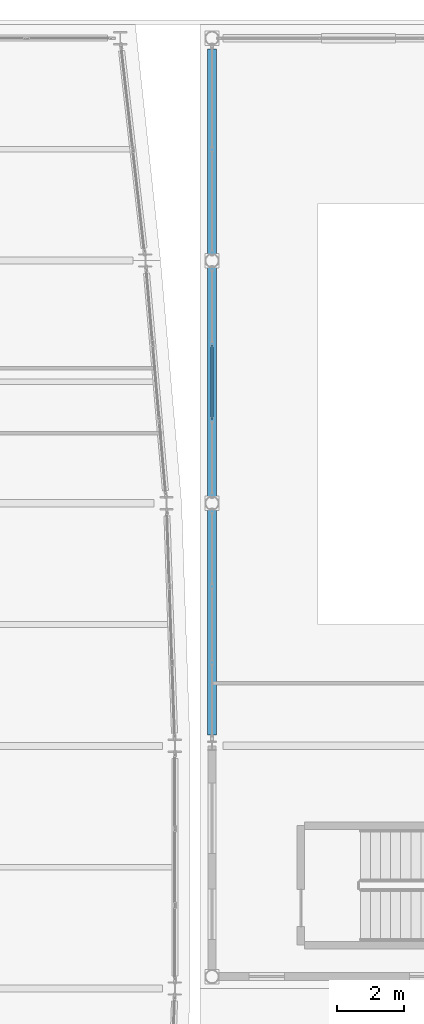
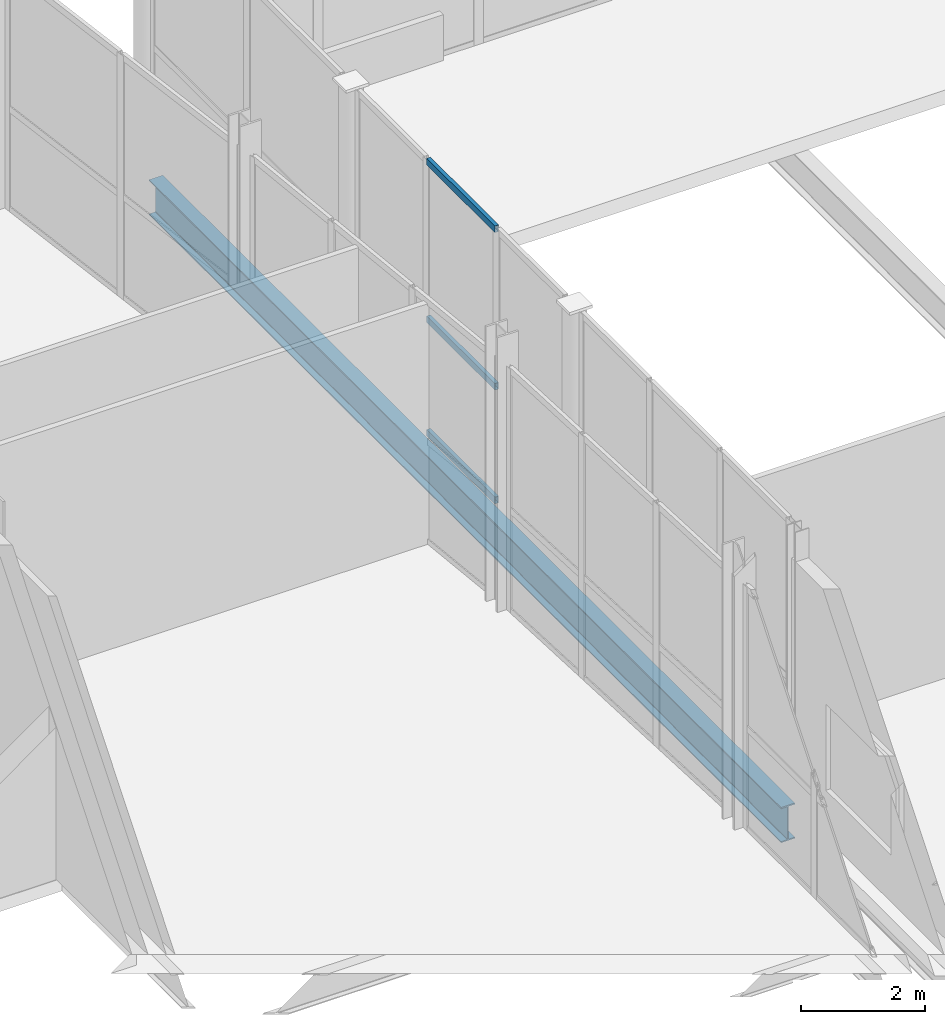
# One storey, part 33 of 83: 3 members, 1 beam, 1 element without a shape of its own.
"""IFC4 building model written with IfcOpenShell, lengths in metres."""

from ifc_helpers import new_model, si_unit, direction, frame, origin, origin_2d, place, context, subcontext, project, spatial, hollow_rectangle, i_section, extrude, material, layer, layer_set, material_profile, profile_set, type_object, element, aggregate, save


model = new_model("IFC4")

# Units and contexts
model_context = context("Model", 3, precision=1e-05, world=origin(), true_north=direction((0.0, 1.0)))
body_context = subcontext(model_context, "Body", "Model", "MODEL_VIEW")
ifc_project = project(units=[si_unit("LENGTHUNIT", "METRE"), si_unit("AREAUNIT", "SQUARE_METRE"), si_unit("VOLUMEUNIT", "CUBIC_METRE"), si_unit("PLANEANGLEUNIT", "RADIAN"), si_unit("MASSUNIT", "GRAM", prefix="KILO")], contexts=[model_context])

# Site, building, storey
site_placement = place(None, origin())
site = spatial("IfcSite", under=ifc_project, at=site_placement, CompositionType="ELEMENT")
building_placement = place(site_placement, origin())
building = spatial("IfcBuilding", under=site, at=building_placement, Name="Quillay Park Conservatory", CompositionType="ELEMENT")
storey_placement = place(building_placement, origin())
storey = spatial("IfcBuildingStorey", under=building, at=storey_placement, Name="L00", CompositionType="ELEMENT", Elevation=0.0)

# Curtain wall, members
ifc_material_1 = material(Name="Thermally Broken Anodised Aluminium 6063-T6", Category="aluminium")
ifc_layer = layer(ifc_material_1, 0.219970703125)
ifc_layer_set = layer_set([ifc_layer], Name="UNITISED CURTAIN WALL CONSERVATORY (Thermally Broken Anodised Aluminium 6063-T6)")
curtain_wall_type = type_object("IfcCurtainWallType", Name="UNITISED CURTAIN WALL CONSERVATORY", PredefinedType="USERDEFINED", material=ifc_layer_set)
curtain_wall_placement = place(storey_placement, origin())
curtain_wall = element("IfcCurtainWall", 1, at=curtain_wall_placement, inside=storey, type_object=curtain_wall_type, Name="L00 Unitised Curtain Wall 167", ObjectType="UNITISED CURTAIN WALL", PredefinedType="USERDEFINED")
ifc_material_2 = material(Name="Thermally Broken Anodised Aluminium 6063-T6", Category="aluminium")
ifc_material_profile_1 = material_profile(ifc_material_2, hollow_rectangle(XDim=0.070068359375, YDim=0.1298828125, WallThickness=0.003173828125, at=origin_2d()), Name="AL70x130x3.2")
ifc_profile_set_1 = profile_set([ifc_material_profile_1], Name="Thermally Broken Anodised Aluminium 6063-T6")
member_type = type_object("IfcMemberType", Name="CURTAIN WALL TRANSOM 70 X130", PredefinedType="USERDEFINED", material=ifc_profile_set_1)
member_1_placement = place(storey_placement, frame((30.64990234375, 102.102294921875, 0.034912109375), z_axis=(0.0, 1.0, 0.0), x_axis=(-1.0, 0.0, 0.0)))
member_1 = element("IfcMember", 2, at=member_1_placement, type_object=member_type, Name="CW-C1 transom 2.1", ObjectType="TRANSOM", PredefinedType="USERDEFINED", context=body_context, shape_type="SweptSolid", body=[
    extrude(hollow_rectangle(XDim=0.070068359375, YDim=0.1298828125, WallThickness=0.003173828125, at=origin_2d()), origin(), (0.0, 0.0, 1.0), 2.1953125),
])
member_2_placement = place(storey_placement, frame((30.64990234375, 102.102294921875, 2.26806640625), z_axis=(0.0, 1.0, 0.0), x_axis=(-1.0, 0.0, 0.0)))
member_2 = element("IfcMember", 3, at=member_2_placement, type_object=member_type, Name="CW-C1 transom 2.2", ObjectType="TRANSOM", PredefinedType="USERDEFINED", context=body_context, shape_type="SweptSolid", body=[
    extrude(hollow_rectangle(XDim=0.070068359375, YDim=0.1298828125, WallThickness=0.003173828125, at=origin_2d()), origin(), (0.0, 0.0, 1.0), 2.1953125),
])
member_3_placement = place(storey_placement, frame((30.64990234375, 102.102294921875, 5.364990234375), z_axis=(0.0, 1.0, 0.0), x_axis=(-1.0, 0.0, 0.0)))
member_3 = element("IfcMember", 4, at=member_3_placement, type_object=member_type, Name="CW-C1 transom 2.3", ObjectType="TRANSOM", PredefinedType="USERDEFINED", context=body_context, shape_type="SweptSolid", body=[
    extrude(hollow_rectangle(XDim=0.070068359375, YDim=0.1298828125, WallThickness=0.003173828125, at=origin_2d()), origin(), (0.0, 0.0, 1.0), 2.1953125),
])
aggregate(curtain_wall, [member_1, member_2, member_3])

# Beam
ifc_material_3 = material(Name="Steel ASTM A992 Grade 50", Category="steel")
ifc_material_profile_2 = material_profile(ifc_material_3, i_section(OverallWidth=0.256103515625, OverallDepth=0.693115234375, WebThickness=0.014404296875, FlangeThickness=0.023681640625, FilletRadius=0.01611328125, at=origin_2d()), Name="W690x170")
ifc_profile_set_2 = profile_set([ifc_material_profile_2], Name="Steel ASTM A992 Grade 50")
beam_type = type_object("IfcBeamType", Name="PRIMARY FLOOR GIRDER W690 X170", PredefinedType="BEAM", material=ifc_profile_set_2)
beam_placement = place(storey_placement, frame((30.64990234375, 92.72509765625, -0.62646484375), z_axis=(0.0, 1.0, 0.0), x_axis=(-1.0, 0.0, 0.0)))
element("IfcBeam", 5, at=beam_placement, inside=storey, type_object=beam_type, Name="L00 beam BM-V1T0-1630", PredefinedType="BEAM", context=body_context, shape_type="SweptSolid", body=[
    extrude(i_section(OverallWidth=0.256103515625, OverallDepth=0.693115234375, WebThickness=0.014404296875, FlangeThickness=0.023681640625, FilletRadius=0.01611328125, at=origin_2d()), origin(), (0.0, 0.0, 1.0), 20.349853515625),
])

save(model, "model.ifc")
